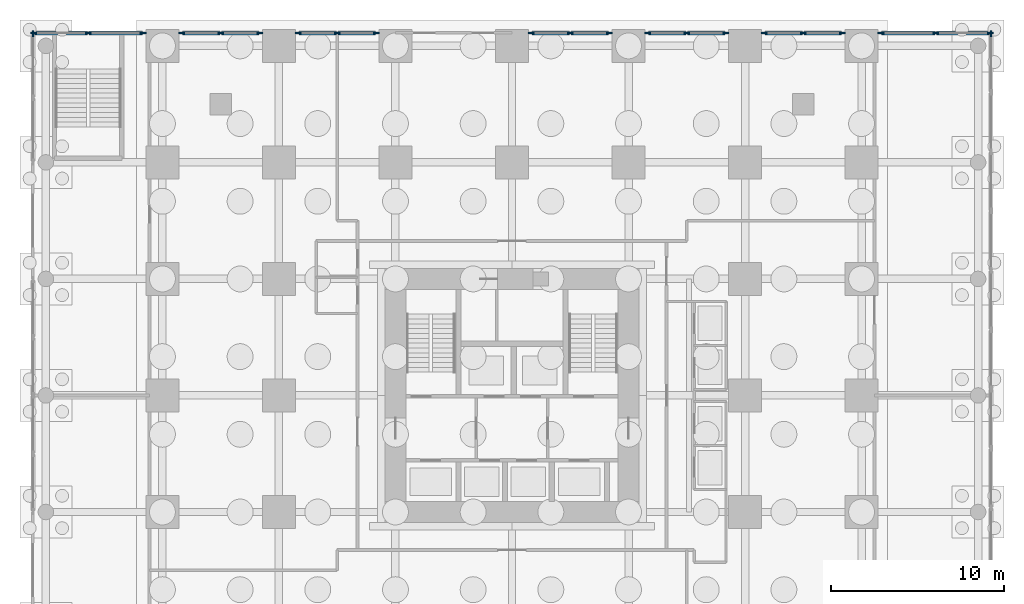
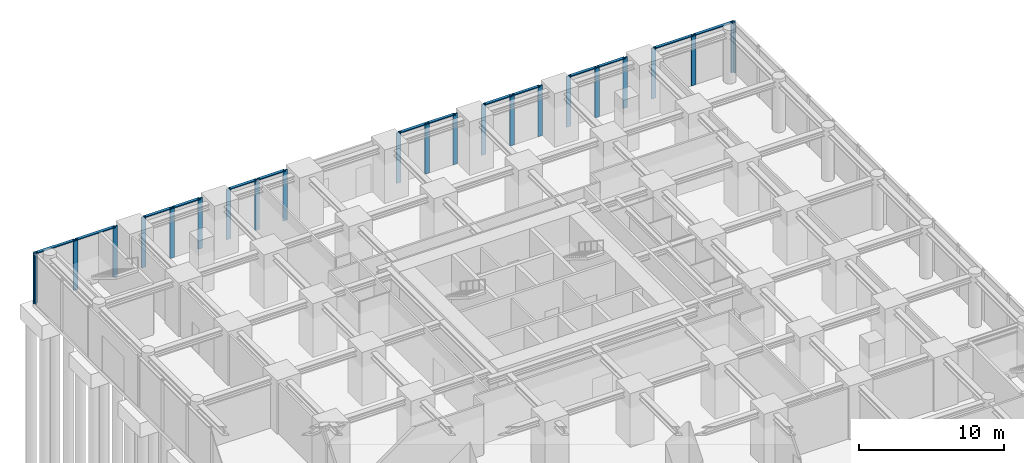
# One storey, part 7 of 14: 37 members, 9 elements without a shape of their own.
"""IFC4 building model written with IfcOpenShell, lengths in metres."""

from ifc_helpers import new_model, si_unit, direction, frame, origin, origin_2d, place, context, subcontext, project, spatial, rectangle, extrude, material, material_profile, profile_set, type_object, element, aggregate, save


model = new_model("IFC4")

# Units and contexts
model_context = context("Model", 3, precision=1e-05, world=origin(), true_north=direction((0.0, 1.0)))
body_context = subcontext(model_context, "Body", "Model", "MODEL_VIEW")
ifc_project = project(units=[si_unit("LENGTHUNIT", "METRE"), si_unit("AREAUNIT", "SQUARE_METRE"), si_unit("VOLUMEUNIT", "CUBIC_METRE"), si_unit("PLANEANGLEUNIT", "RADIAN"), si_unit("MASSUNIT", "GRAM", prefix="KILO")], contexts=[model_context])

# Site, building, storey
site_placement = place(None, origin())
site = spatial("IfcSite", under=ifc_project, at=site_placement, CompositionType="ELEMENT")
building_placement = place(site_placement, origin())
building = spatial("IfcBuilding", under=site, at=building_placement, Name="Nyansa Garden Tower", CompositionType="ELEMENT")
storey_placement = place(building_placement, origin())
storey = spatial("IfcBuildingStorey", under=building, at=storey_placement, Name="L00", CompositionType="ELEMENT", Elevation=0.0)

# Curtain wall, member
ifc_material_1 = material(Name="Black anodised aluminium, clear double glazing", Category="aluminium")
curtain_wall_type = type_object("IfcCurtainWallType", Name="Podium curtain wall PCW", PredefinedType="USERDEFINED", material=ifc_material_1)
curtain_wall_1_placement = place(storey_placement, origin())
curtain_wall_1 = element("IfcCurtainWall", 1, at=curtain_wall_1_placement, inside=storey, type_object=curtain_wall_type, Name="Podium curtain wall L00 E", ObjectType="STICK CURTAIN WALL", PredefinedType="USERDEFINED")
ifc_material_2 = material(Name="Black anodised aluminium", Category="aluminium")
ifc_material_profile_1 = material_profile(ifc_material_2, rectangle(XDim=0.080078125, YDim=0.35009765625, at=origin_2d()), Name="Mullion 350x80")
ifc_profile_set_1 = profile_set([ifc_material_profile_1], Name="Black anodised aluminium")
member_type_1 = type_object("IfcMemberType", Name="Mullion PCW 350x80", PredefinedType="MULLION", material=ifc_profile_set_1)
member_1_placement = place(storey_placement, frame((48.0, 41.2099609375, 0.0), z_axis=(0.0, 0.0, 1.0), x_axis=(-1.0, 0.0, 0.0)))
member_1 = element("IfcMember", 2, at=member_1_placement, type_object=member_type_1, Name="PCW mullion 13", PredefinedType="MULLION", context=body_context, shape_type="SweptSolid", body=[
    extrude(rectangle(XDim=0.080078125, YDim=0.35009765625, at=origin_2d()), origin(), (0.0, 0.0, 1.0), 4.25),
])
aggregate(curtain_wall_1, [member_1])

# Curtain wall, members
curtain_wall_2_placement = place(storey_placement, origin())
curtain_wall_2 = element("IfcCurtainWall", 3, at=curtain_wall_2_placement, inside=storey, type_object=curtain_wall_type, Name="Podium curtain wall L00 N", ObjectType="STICK CURTAIN WALL", PredefinedType="USERDEFINED")
member_2_placement = place(storey_placement, frame((12.375, 41.25, 0.0), z_axis=(0.0, 0.0, 1.0), x_axis=(0.0, -1.0, 0.0)))
member_2 = element("IfcMember", 4, at=member_2_placement, type_object=member_type_1, Name="PCW mullion 1", PredefinedType="MULLION", context=body_context, shape_type="SweptSolid", body=[
    extrude(rectangle(XDim=0.080078125, YDim=0.35009765625, at=origin_2d()), origin(), (0.0, 0.0, 1.0), 4.25),
])
member_3_placement = place(storey_placement, frame((10.125, 41.25, 0.0), z_axis=(0.0, 0.0, 1.0), x_axis=(0.0, -1.0, 0.0)))
member_3 = element("IfcMember", 5, at=member_3_placement, type_object=member_type_1, Name="PCW mullion 2", PredefinedType="MULLION", context=body_context, shape_type="SweptSolid", body=[
    extrude(rectangle(XDim=0.080078125, YDim=0.35009765625, at=origin_2d()), origin(), (0.0, 0.0, 1.0), 4.25),
])
member_4_placement = place(storey_placement, frame((7.875, 41.25, 0.0), z_axis=(0.0, 0.0, 1.0), x_axis=(0.0, -1.0, 0.0)))
member_4 = element("IfcMember", 6, at=member_4_placement, type_object=member_type_1, Name="PCW mullion 3", PredefinedType="MULLION", context=body_context, shape_type="SweptSolid", body=[
    extrude(rectangle(XDim=0.080078125, YDim=0.35009765625, at=origin_2d()), origin(), (0.0, 0.0, 1.0), 4.25),
])

curtain_wall_3_placement = place(storey_placement, origin())
curtain_wall_3 = element("IfcCurtainWall", 7, at=curtain_wall_3_placement, inside=storey, type_object=curtain_wall_type, Name="Podium curtain wall L00 N", ObjectType="STICK CURTAIN WALL", PredefinedType="USERDEFINED")
member_5_placement = place(storey_placement, frame((5.625, 41.25, 0.0), z_axis=(0.0, 0.0, 1.0), x_axis=(0.0, -1.0, 0.0)))
member_5 = element("IfcMember", 8, at=member_5_placement, type_object=member_type_1, Name="PCW mullion 1", PredefinedType="MULLION", context=body_context, shape_type="SweptSolid", body=[
    extrude(rectangle(XDim=0.080078125, YDim=0.35009765625, at=origin_2d()), origin(), (0.0, 0.0, 1.0), 4.25),
])
member_6_placement = place(storey_placement, frame((3.375, 41.25, 0.0), z_axis=(0.0, 0.0, 1.0), x_axis=(0.0, -1.0, 0.0)))
member_6 = element("IfcMember", 9, at=member_6_placement, type_object=member_type_1, Name="PCW mullion 2", PredefinedType="MULLION", context=body_context, shape_type="SweptSolid", body=[
    extrude(rectangle(XDim=0.080078125, YDim=0.35009765625, at=origin_2d()), origin(), (0.0, 0.0, 1.0), 4.25),
])
member_7_placement = place(storey_placement, frame((1.125, 41.25, 0.0), z_axis=(0.0, 0.0, 1.0), x_axis=(0.0, -1.0, 0.0)))
member_7 = element("IfcMember", 10, at=member_7_placement, type_object=member_type_1, Name="PCW mullion 3", PredefinedType="MULLION", context=body_context, shape_type="SweptSolid", body=[
    extrude(rectangle(XDim=0.080078125, YDim=0.35009765625, at=origin_2d()), origin(), (0.0, 0.0, 1.0), 4.25),
])

curtain_wall_4_placement = place(storey_placement, origin())
curtain_wall_4 = element("IfcCurtainWall", 11, at=curtain_wall_4_placement, inside=storey, type_object=curtain_wall_type, Name="Podium curtain wall L00 N", ObjectType="STICK CURTAIN WALL", PredefinedType="USERDEFINED")
member_8_placement = place(storey_placement, frame((-1.125, 41.25, 0.0), z_axis=(0.0, 0.0, 1.0), x_axis=(0.0, -1.0, 0.0)))
member_8 = element("IfcMember", 12, at=member_8_placement, type_object=member_type_1, Name="PCW mullion 1", PredefinedType="MULLION", context=body_context, shape_type="SweptSolid", body=[
    extrude(rectangle(XDim=0.080078125, YDim=0.35009765625, at=origin_2d()), origin(), (0.0, 0.0, 1.0), 4.25),
])
member_9_placement = place(storey_placement, frame((-4.29248046875, 41.25, 0.0), z_axis=(0.0, 0.0, 1.0), x_axis=(0.0, -1.0, 0.0)))
member_9 = element("IfcMember", 13, at=member_9_placement, type_object=member_type_1, Name="PCW mullion 2", PredefinedType="MULLION", context=body_context, shape_type="SweptSolid", body=[
    extrude(rectangle(XDim=0.080078125, YDim=0.35009765625, at=origin_2d()), origin(), (0.0, 0.0, 1.0), 4.25),
])
member_10_placement = place(storey_placement, frame((-7.4599609375, 41.25, 0.0), z_axis=(0.0, 0.0, 1.0), x_axis=(0.0, -1.0, 0.0)))
member_10 = element("IfcMember", 14, at=member_10_placement, type_object=member_type_1, Name="PCW mullion 3", PredefinedType="MULLION", context=body_context, shape_type="SweptSolid", body=[
    extrude(rectangle(XDim=0.080078125, YDim=0.35009765625, at=origin_2d()), origin(), (0.0, 0.0, 1.0), 4.25),
])

curtain_wall_5_placement = place(storey_placement, origin())
curtain_wall_5 = element("IfcCurtainWall", 15, at=curtain_wall_5_placement, inside=storey, type_object=curtain_wall_type, Name="Podium curtain wall L00 N", ObjectType="STICK CURTAIN WALL", PredefinedType="USERDEFINED")
member_11_placement = place(storey_placement, frame((47.9599609375, 41.25, 0.0), z_axis=(0.0, 0.0, 1.0), x_axis=(0.0, -1.0, 0.0)))
member_11 = element("IfcMember", 16, at=member_11_placement, type_object=member_type_1, Name="PCW mullion 1", PredefinedType="MULLION", context=body_context, shape_type="SweptSolid", body=[
    extrude(rectangle(XDim=0.080078125, YDim=0.35009765625, at=origin_2d()), origin(), (0.0, 0.0, 1.0), 4.25),
])
member_12_placement = place(storey_placement, frame((44.79248046875, 41.25, 0.0), z_axis=(0.0, 0.0, 1.0), x_axis=(0.0, -1.0, 0.0)))
member_12 = element("IfcMember", 17, at=member_12_placement, type_object=member_type_1, Name="PCW mullion 2", PredefinedType="MULLION", context=body_context, shape_type="SweptSolid", body=[
    extrude(rectangle(XDim=0.080078125, YDim=0.35009765625, at=origin_2d()), origin(), (0.0, 0.0, 1.0), 4.25),
])
member_13_placement = place(storey_placement, frame((41.625, 41.25, 0.0), z_axis=(0.0, 0.0, 1.0), x_axis=(0.0, -1.0, 0.0)))
member_13 = element("IfcMember", 18, at=member_13_placement, type_object=member_type_1, Name="PCW mullion 3", PredefinedType="MULLION", context=body_context, shape_type="SweptSolid", body=[
    extrude(rectangle(XDim=0.080078125, YDim=0.35009765625, at=origin_2d()), origin(), (0.0, 0.0, 1.0), 4.25),
])

curtain_wall_6_placement = place(storey_placement, origin())
curtain_wall_6 = element("IfcCurtainWall", 19, at=curtain_wall_6_placement, inside=storey, type_object=curtain_wall_type, Name="Podium curtain wall L00 N", ObjectType="STICK CURTAIN WALL", PredefinedType="USERDEFINED")
member_14_placement = place(storey_placement, frame((39.375, 41.25, 0.0), z_axis=(0.0, 0.0, 1.0), x_axis=(0.0, -1.0, 0.0)))
member_14 = element("IfcMember", 20, at=member_14_placement, type_object=member_type_1, Name="PCW mullion 1", PredefinedType="MULLION", context=body_context, shape_type="SweptSolid", body=[
    extrude(rectangle(XDim=0.080078125, YDim=0.35009765625, at=origin_2d()), origin(), (0.0, 0.0, 1.0), 4.25),
])
member_15_placement = place(storey_placement, frame((37.125, 41.25, 0.0), z_axis=(0.0, 0.0, 1.0), x_axis=(0.0, -1.0, 0.0)))
member_15 = element("IfcMember", 21, at=member_15_placement, type_object=member_type_1, Name="PCW mullion 2", PredefinedType="MULLION", context=body_context, shape_type="SweptSolid", body=[
    extrude(rectangle(XDim=0.080078125, YDim=0.35009765625, at=origin_2d()), origin(), (0.0, 0.0, 1.0), 4.25),
])
member_16_placement = place(storey_placement, frame((34.875, 41.25, 0.0), z_axis=(0.0, 0.0, 1.0), x_axis=(0.0, -1.0, 0.0)))
member_16 = element("IfcMember", 22, at=member_16_placement, type_object=member_type_1, Name="PCW mullion 3", PredefinedType="MULLION", context=body_context, shape_type="SweptSolid", body=[
    extrude(rectangle(XDim=0.080078125, YDim=0.35009765625, at=origin_2d()), origin(), (0.0, 0.0, 1.0), 4.25),
])

curtain_wall_7_placement = place(storey_placement, origin())
curtain_wall_7 = element("IfcCurtainWall", 23, at=curtain_wall_7_placement, inside=storey, type_object=curtain_wall_type, Name="Podium curtain wall L00 N", ObjectType="STICK CURTAIN WALL", PredefinedType="USERDEFINED")
member_17_placement = place(storey_placement, frame((32.625, 41.25, 0.0), z_axis=(0.0, 0.0, 1.0), x_axis=(0.0, -1.0, 0.0)))
member_17 = element("IfcMember", 24, at=member_17_placement, type_object=member_type_1, Name="PCW mullion 1", PredefinedType="MULLION", context=body_context, shape_type="SweptSolid", body=[
    extrude(rectangle(XDim=0.080078125, YDim=0.35009765625, at=origin_2d()), origin(), (0.0, 0.0, 1.0), 4.25),
])
member_18_placement = place(storey_placement, frame((30.375, 41.25, 0.0), z_axis=(0.0, 0.0, 1.0), x_axis=(0.0, -1.0, 0.0)))
member_18 = element("IfcMember", 25, at=member_18_placement, type_object=member_type_1, Name="PCW mullion 2", PredefinedType="MULLION", context=body_context, shape_type="SweptSolid", body=[
    extrude(rectangle(XDim=0.080078125, YDim=0.35009765625, at=origin_2d()), origin(), (0.0, 0.0, 1.0), 4.25),
])
member_19_placement = place(storey_placement, frame((28.125, 41.25, 0.0), z_axis=(0.0, 0.0, 1.0), x_axis=(0.0, -1.0, 0.0)))
member_19 = element("IfcMember", 26, at=member_19_placement, type_object=member_type_1, Name="PCW mullion 3", PredefinedType="MULLION", context=body_context, shape_type="SweptSolid", body=[
    extrude(rectangle(XDim=0.080078125, YDim=0.35009765625, at=origin_2d()), origin(), (0.0, 0.0, 1.0), 4.25),
])

curtain_wall_8_placement = place(storey_placement, origin())
curtain_wall_8 = element("IfcCurtainWall", 27, at=curtain_wall_8_placement, inside=storey, type_object=curtain_wall_type, Name="Podium curtain wall L00 N", ObjectType="STICK CURTAIN WALL", PredefinedType="USERDEFINED")
member_20_placement = place(storey_placement, frame((25.875, 41.25, 0.0), z_axis=(0.0, 0.0, 1.0), x_axis=(0.0, -1.0, 0.0)))
member_20 = element("IfcMember", 28, at=member_20_placement, type_object=member_type_1, Name="PCW mullion 1", PredefinedType="MULLION", context=body_context, shape_type="SweptSolid", body=[
    extrude(rectangle(XDim=0.080078125, YDim=0.35009765625, at=origin_2d()), origin(), (0.0, 0.0, 1.0), 4.25),
])
member_21_placement = place(storey_placement, frame((23.625, 41.25, 0.0), z_axis=(0.0, 0.0, 1.0), x_axis=(0.0, -1.0, 0.0)))
member_21 = element("IfcMember", 29, at=member_21_placement, type_object=member_type_1, Name="PCW mullion 2", PredefinedType="MULLION", context=body_context, shape_type="SweptSolid", body=[
    extrude(rectangle(XDim=0.080078125, YDim=0.35009765625, at=origin_2d()), origin(), (0.0, 0.0, 1.0), 4.25),
])
member_22_placement = place(storey_placement, frame((21.375, 41.25, 0.0), z_axis=(0.0, 0.0, 1.0), x_axis=(0.0, -1.0, 0.0)))
member_22 = element("IfcMember", 30, at=member_22_placement, type_object=member_type_1, Name="PCW mullion 3", PredefinedType="MULLION", context=body_context, shape_type="SweptSolid", body=[
    extrude(rectangle(XDim=0.080078125, YDim=0.35009765625, at=origin_2d()), origin(), (0.0, 0.0, 1.0), 4.25),
])

# Curtain wall, member
curtain_wall_9_placement = place(storey_placement, origin())
curtain_wall_9 = element("IfcCurtainWall", 31, at=curtain_wall_9_placement, inside=storey, type_object=curtain_wall_type, Name="Podium curtain wall L00 W", ObjectType="STICK CURTAIN WALL", PredefinedType="USERDEFINED")
member_23_placement = place(storey_placement, frame((-7.5, 41.2099609375, 0.0), z_axis=(0.0, 0.0, 1.0), x_axis=(1.0, 0.0, 0.0)))
member_23 = element("IfcMember", 32, at=member_23_placement, type_object=member_type_1, Name="PCW mullion 1", PredefinedType="MULLION", context=body_context, shape_type="SweptSolid", body=[
    extrude(rectangle(XDim=0.080078125, YDim=0.35009765625, at=origin_2d()), origin(), (0.0, 0.0, 1.0), 4.25),
])
aggregate(curtain_wall_9, [member_23])

# Member
ifc_material_3 = material(Name="Black anodised aluminium", Category="aluminium")
ifc_material_profile_2 = material_profile(ifc_material_3, rectangle(XDim=0.219970703125, YDim=0.080078125, at=origin_2d()), Name="Transom 220x80")
ifc_profile_set_2 = profile_set([ifc_material_profile_2], Name="Black anodised aluminium")
member_type_2 = type_object("IfcMemberType", Name="Transom PCW 220x80", PredefinedType="USERDEFINED", material=ifc_profile_set_2)
member_24_placement = place(storey_placement, frame((12.3349609375, 41.25, 4.2099609375), z_axis=(-1.0, 0.0, 0.0), x_axis=(0.0, -1.0, 0.0)))
member_24 = element("IfcMember", 33, at=member_24_placement, type_object=member_type_2, Name="PCW transom 1", ObjectType="TRANSOM", PredefinedType="USERDEFINED", context=body_context, shape_type="SweptSolid", body=[
    extrude(rectangle(XDim=0.219970703125, YDim=0.080078125, at=origin_2d()), origin(), (0.0, 0.0, 1.0), 2.169921875),
])

member_25_placement = place(storey_placement, frame((10.0849609375, 41.25, 4.2099609375), z_axis=(-1.0, 0.0, 0.0), x_axis=(0.0, -1.0, 0.0)))
member_25 = element("IfcMember", 34, at=member_25_placement, type_object=member_type_2, Name="PCW transom 2", ObjectType="TRANSOM", PredefinedType="USERDEFINED", context=body_context, shape_type="SweptSolid", body=[
    extrude(rectangle(XDim=0.219970703125, YDim=0.080078125, at=origin_2d()), origin(), (0.0, 0.0, 1.0), 2.169921875),
])

aggregate(curtain_wall_2, [member_2, member_3, member_4, member_24, member_25])

member_26_placement = place(storey_placement, frame((5.5849609375, 41.25, 4.2099609375), z_axis=(-1.0, 0.0, 0.0), x_axis=(0.0, -1.0, 0.0)))
member_26 = element("IfcMember", 35, at=member_26_placement, type_object=member_type_2, Name="PCW transom 1", ObjectType="TRANSOM", PredefinedType="USERDEFINED", context=body_context, shape_type="SweptSolid", body=[
    extrude(rectangle(XDim=0.219970703125, YDim=0.080078125, at=origin_2d()), origin(), (0.0, 0.0, 1.0), 2.169921875),
])

member_27_placement = place(storey_placement, frame((3.3349609375, 41.25, 4.2099609375), z_axis=(-1.0, 0.0, 0.0), x_axis=(0.0, -1.0, 0.0)))
member_27 = element("IfcMember", 36, at=member_27_placement, type_object=member_type_2, Name="PCW transom 2", ObjectType="TRANSOM", PredefinedType="USERDEFINED", context=body_context, shape_type="SweptSolid", body=[
    extrude(rectangle(XDim=0.219970703125, YDim=0.080078125, at=origin_2d()), origin(), (0.0, 0.0, 1.0), 2.169921875),
])

aggregate(curtain_wall_3, [member_5, member_6, member_7, member_26, member_27])

member_28_placement = place(storey_placement, frame((-1.1650390625, 41.25, 4.2099609375), z_axis=(-1.0, 0.0, 0.0), x_axis=(0.0, -1.0, 0.0)))
member_28 = element("IfcMember", 37, at=member_28_placement, type_object=member_type_2, Name="PCW transom 1", ObjectType="TRANSOM", PredefinedType="USERDEFINED", context=body_context, shape_type="SweptSolid", body=[
    extrude(rectangle(XDim=0.219970703125, YDim=0.080078125, at=origin_2d()), origin(), (0.0, 0.0, 1.0), 3.08740234375),
])

member_29_placement = place(storey_placement, frame((-4.33251953125, 41.25, 4.2099609375), z_axis=(-1.0, 0.0, 0.0), x_axis=(0.0, -1.0, 0.0)))
member_29 = element("IfcMember", 38, at=member_29_placement, type_object=member_type_2, Name="PCW transom 2", ObjectType="TRANSOM", PredefinedType="USERDEFINED", context=body_context, shape_type="SweptSolid", body=[
    extrude(rectangle(XDim=0.219970703125, YDim=0.080078125, at=origin_2d()), origin(), (0.0, 0.0, 1.0), 3.08740234375),
])

aggregate(curtain_wall_4, [member_8, member_9, member_10, member_28, member_29])

member_30_placement = place(storey_placement, frame((47.919921875, 41.25, 4.2099609375), z_axis=(-1.0, 0.0, 0.0), x_axis=(0.0, -1.0, 0.0)))
member_30 = element("IfcMember", 39, at=member_30_placement, type_object=member_type_2, Name="PCW transom 1", ObjectType="TRANSOM", PredefinedType="USERDEFINED", context=body_context, shape_type="SweptSolid", body=[
    extrude(rectangle(XDim=0.219970703125, YDim=0.080078125, at=origin_2d()), origin(), (0.0, 0.0, 1.0), 3.08740234375),
])

member_31_placement = place(storey_placement, frame((44.75244140625, 41.25, 4.2099609375), z_axis=(-1.0, 0.0, 0.0), x_axis=(0.0, -1.0, 0.0)))
member_31 = element("IfcMember", 40, at=member_31_placement, type_object=member_type_2, Name="PCW transom 2", ObjectType="TRANSOM", PredefinedType="USERDEFINED", context=body_context, shape_type="SweptSolid", body=[
    extrude(rectangle(XDim=0.219970703125, YDim=0.080078125, at=origin_2d()), origin(), (0.0, 0.0, 1.0), 3.08740234375),
])

aggregate(curtain_wall_5, [member_11, member_12, member_13, member_30, member_31])

member_32_placement = place(storey_placement, frame((39.3349609375, 41.25, 4.2099609375), z_axis=(-1.0, 0.0, 0.0), x_axis=(0.0, -1.0, 0.0)))
member_32 = element("IfcMember", 41, at=member_32_placement, type_object=member_type_2, Name="PCW transom 1", ObjectType="TRANSOM", PredefinedType="USERDEFINED", context=body_context, shape_type="SweptSolid", body=[
    extrude(rectangle(XDim=0.219970703125, YDim=0.080078125, at=origin_2d()), origin(), (0.0, 0.0, 1.0), 2.169921875),
])

member_33_placement = place(storey_placement, frame((37.0849609375, 41.25, 4.2099609375), z_axis=(-1.0, 0.0, 0.0), x_axis=(0.0, -1.0, 0.0)))
member_33 = element("IfcMember", 42, at=member_33_placement, type_object=member_type_2, Name="PCW transom 2", ObjectType="TRANSOM", PredefinedType="USERDEFINED", context=body_context, shape_type="SweptSolid", body=[
    extrude(rectangle(XDim=0.219970703125, YDim=0.080078125, at=origin_2d()), origin(), (0.0, 0.0, 1.0), 2.169921875),
])

aggregate(curtain_wall_6, [member_14, member_15, member_16, member_32, member_33])

member_34_placement = place(storey_placement, frame((32.5849609375, 41.25, 4.2099609375), z_axis=(-1.0, 0.0, 0.0), x_axis=(0.0, -1.0, 0.0)))
member_34 = element("IfcMember", 43, at=member_34_placement, type_object=member_type_2, Name="PCW transom 1", ObjectType="TRANSOM", PredefinedType="USERDEFINED", context=body_context, shape_type="SweptSolid", body=[
    extrude(rectangle(XDim=0.219970703125, YDim=0.080078125, at=origin_2d()), origin(), (0.0, 0.0, 1.0), 2.169921875),
])

member_35_placement = place(storey_placement, frame((30.3349609375, 41.25, 4.2099609375), z_axis=(-1.0, 0.0, 0.0), x_axis=(0.0, -1.0, 0.0)))
member_35 = element("IfcMember", 44, at=member_35_placement, type_object=member_type_2, Name="PCW transom 2", ObjectType="TRANSOM", PredefinedType="USERDEFINED", context=body_context, shape_type="SweptSolid", body=[
    extrude(rectangle(XDim=0.219970703125, YDim=0.080078125, at=origin_2d()), origin(), (0.0, 0.0, 1.0), 2.169921875),
])

aggregate(curtain_wall_7, [member_17, member_18, member_19, member_34, member_35])

member_36_placement = place(storey_placement, frame((25.8349609375, 41.25, 4.2099609375), z_axis=(-1.0, 0.0, 0.0), x_axis=(0.0, -1.0, 0.0)))
member_36 = element("IfcMember", 45, at=member_36_placement, type_object=member_type_2, Name="PCW transom 1", ObjectType="TRANSOM", PredefinedType="USERDEFINED", context=body_context, shape_type="SweptSolid", body=[
    extrude(rectangle(XDim=0.219970703125, YDim=0.080078125, at=origin_2d()), origin(), (0.0, 0.0, 1.0), 2.169921875),
])

member_37_placement = place(storey_placement, frame((23.5849609375, 41.25, 4.2099609375), z_axis=(-1.0, 0.0, 0.0), x_axis=(0.0, -1.0, 0.0)))
member_37 = element("IfcMember", 46, at=member_37_placement, type_object=member_type_2, Name="PCW transom 2", ObjectType="TRANSOM", PredefinedType="USERDEFINED", context=body_context, shape_type="SweptSolid", body=[
    extrude(rectangle(XDim=0.219970703125, YDim=0.080078125, at=origin_2d()), origin(), (0.0, 0.0, 1.0), 2.169921875),
])

aggregate(curtain_wall_8, [member_20, member_21, member_22, member_36, member_37])

save(model, "model.ifc")
